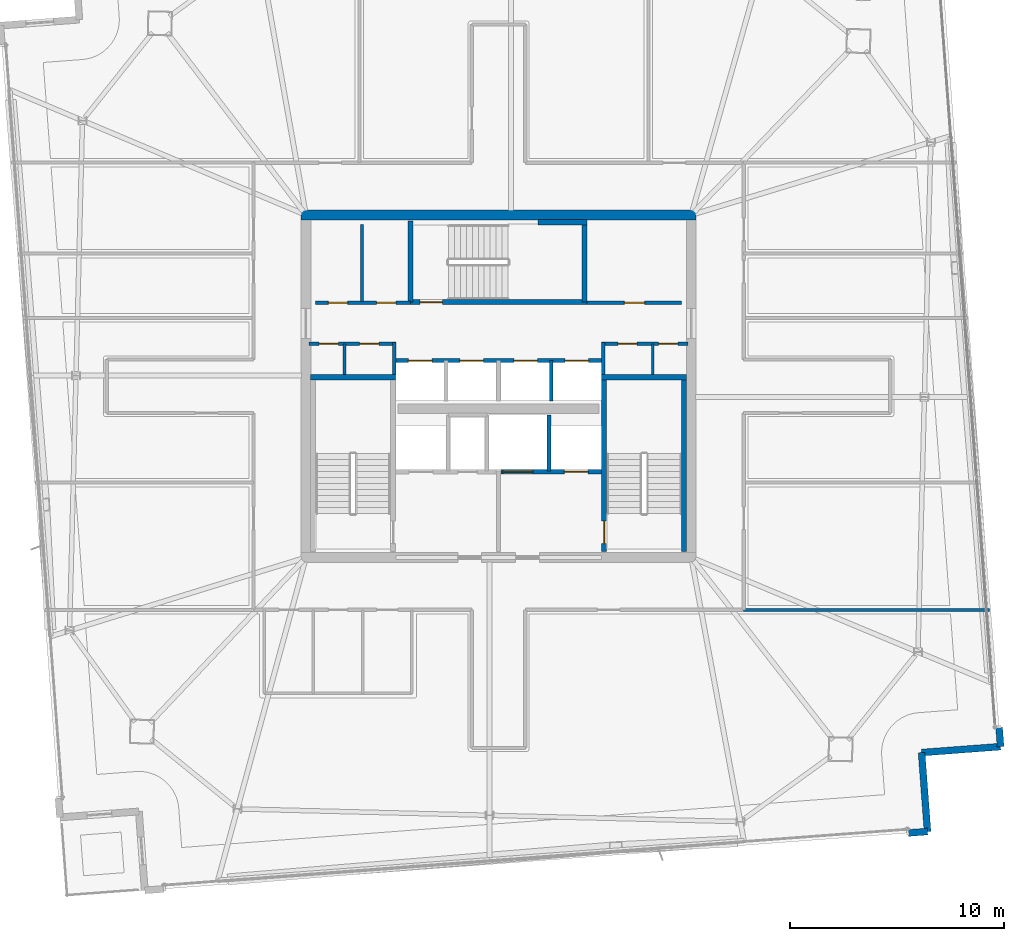
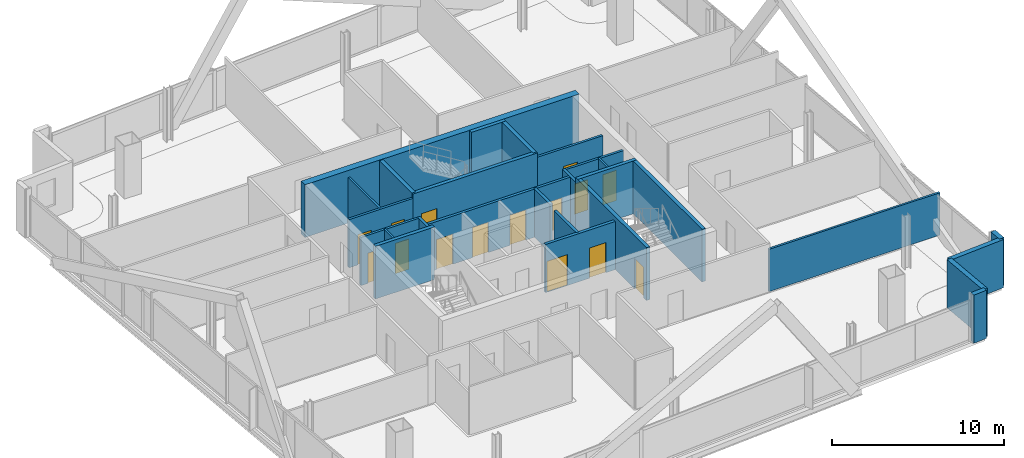
# One storey, part 18 of 23: 27 walls, 15 doors, 15 openings.
"""IFC4 building model written with IfcOpenShell, lengths in metres."""

from ifc_helpers import new_model, si_unit, direction, frame, frame_2d, origin, place, context, subcontext, project, spatial, rectangle, extrude, material, layer, layer_set, type_object, element, fill, save


model = new_model("IFC4")

# Units and contexts
model_context = context("Model", 3, precision=1e-05, world=origin(), true_north=direction((0.0, 1.0)))
body_context = subcontext(model_context, "Body", "Model", "MODEL_VIEW")
ifc_project = project(units=[si_unit("LENGTHUNIT", "METRE"), si_unit("AREAUNIT", "SQUARE_METRE"), si_unit("VOLUMEUNIT", "CUBIC_METRE"), si_unit("PLANEANGLEUNIT", "RADIAN"), si_unit("MASSUNIT", "GRAM", prefix="KILO")], contexts=[model_context])

# Site, building, storey
site_placement = place(None, origin())
site = spatial("IfcSite", under=ifc_project, at=site_placement, CompositionType="ELEMENT")
building_placement = place(site_placement, origin())
building = spatial("IfcBuilding", under=site, at=building_placement, Name="Haldenkirk Collegiate Tower", CompositionType="ELEMENT")
storey_placement = place(building_placement, frame((0.0, 0.0, 343.949951171875)))
storey = spatial("IfcBuildingStorey", under=building, at=storey_placement, Name="L87", CompositionType="ELEMENT", Elevation=343.949951171875)

# Walls
ifc_material_1 = material(Name="Concrete f'c 55 MPa", Category="concrete")
ifc_layer_1 = layer(ifc_material_1, 0.449951171875)
ifc_layer_set_1 = layer_set([ifc_layer_1], Name="Concrete f'c 55 MPa")
wall_type_1 = type_object("IfcWallType", Name="WL-CORE-450", PredefinedType="SHEAR", material=ifc_layer_set_1)
wall_1_placement = place(storey_placement, frame((26.77490234375, 34.0, 0.0), z_axis=(0.0, 0.0, 1.0), x_axis=(1.0, 0.0, 0.0)))
element("IfcWall", 1, at=wall_1_placement, inside=storey, type_object=wall_type_1, Name="L87 central core shear wall N", PredefinedType="SHEAR", context=body_context, shape_type="SweptSolid", body=[
    extrude(rectangle(XDim=18.4501953125, YDim=0.449951171875, at=frame_2d((9.22509765625, 0.0))), origin(), (0.0, 0.0, 1.0), 3.75),
])
ifc_material_2 = material(Name="Precast concrete f'c 40 MPa", Category="concrete")
ifc_layer_2 = layer(ifc_material_2, 0.320068359375)
ifc_layer_set_2 = layer_set([ifc_layer_2], Name="Precast concrete f'c 40 MPa")
wall_type_2 = type_object("IfcWallType", Name="WL-EXT-TWR-320", PredefinedType="STANDARD", material=ifc_layer_set_2)
wall_2_placement = place(storey_placement, frame((59.385986328125, 10.05859375, 0.0), z_axis=(0.0, 0.0, 1.0), x_axis=(0.075140616575, -0.997172947758, 0.0)))
element("IfcWall", 2, at=wall_2_placement, inside=storey, type_object=wall_type_2, Name="L87 precast corner pier SR", PredefinedType="STANDARD", context=body_context, shape_type="SweptSolid", body=[
    extrude(rectangle(XDim=0.89990234375, YDim=0.320068359375, at=frame_2d((0.449951171875, 0.0))), origin(), (0.0, 0.0, 1.0), 3.429931640625),
])
wall_3_placement = place(storey_placement, frame((56.04150390625, 5.194091796875, 0.0), z_axis=(0.0, 0.0, 1.0), x_axis=(-0.997194757176, -0.074850626321, 0.0)))
element("IfcWall", 3, at=wall_3_placement, inside=storey, type_object=wall_type_2, Name="L87 precast corner pier WL", PredefinedType="STANDARD", context=body_context, shape_type="SweptSolid", body=[
    extrude(rectangle(XDim=0.900146484375, YDim=0.320068359375, at=frame_2d((0.4501953125, 0.0))), origin(), (0.0, 0.0, 1.0), 3.429931640625),
])
for number, where, z_axis, x_axis, name in (
    (4, (55.763916015625, 8.8837890625, 0.0), (0.0, 0.0, 1.0), (0.075021230864, -0.997181936719, 0.0), "L87 bronze precast notch wall 11"),
    (5, (59.45361328125, 9.1611328125, 0.0), (0.0, 0.0, 1.0), (-0.997186870667, -0.074955620001, 0.0), "L87 bronze precast notch wall 12"),
):
    element("IfcWall", number, at=place(storey_placement, frame(where, z_axis=z_axis, x_axis=x_axis)), inside=storey, type_object=wall_type_2, Name=name, PredefinedType="STANDARD", context=body_context, shape_type="SweptSolid", body=[
        extrude(rectangle(XDim=3.7001953125, YDim=0.320068359375, at=frame_2d((1.85009765625, 0.0))), origin(), (0.0, 0.0, 1.0), 3.429931640625),
    ])

# Wall, openings, doors
ifc_material_3 = material(Name="Acoustic fire-rated gypsum partition", Category="concrete")
ifc_layer_3 = layer(ifc_material_3, 0.159912109375)
ifc_layer_set_3 = layer_set([ifc_layer_3], Name="Acoustic fire-rated gypsum partition")
wall_type_3 = type_object("IfcWallType", Name="WL-INT-CORR-160", PredefinedType="PARTITIONING", material=ifc_layer_set_3)
wall_4_placement = place(storey_placement, frame((27.14990234375, 27.97998046875, 0.0), z_axis=(0.0, 0.0, 1.0), x_axis=(1.0, 0.0, 0.0)))
wall_4 = element("IfcWall", 6, at=wall_4_placement, inside=storey, type_object=wall_type_3, Name="L87 interior partition IW-L87-VCSW-N", PredefinedType="PARTITIONING", context=body_context, shape_type="SweptSolid", body=[
    extrude(rectangle(XDim=4.050048828125, YDim=0.159912109375, at=frame_2d((2.02490234375, 0.0))), origin(), (0.0, 0.0, 1.0), 3.429931640625),
])
opening_1_placement = place(wall_4_placement, frame((0.469970703125, 0.0, 0.0)))
opening_1 = element("IfcOpeningElement", 7, at=opening_1_placement, cuts=wall_4, Name="Opening D-11", PredefinedType="OPENING", context=body_context, shape_type="SweptSolid", body=[
    extrude(rectangle(XDim=0.89990234375, YDim=2.14990234375, at=frame_2d((0.449951171875, 1.074951171875))), frame((0.0, 0.08984375, 0.0), z_axis=(0.0, -1.0, 0.0), x_axis=(1.0, 0.0, 0.0)), (0.0, 0.0, 1.0), 0.179931640625),
])
opening_2_placement = place(wall_4_placement, frame((2.360107421875, 0.0, 0.0)))
opening_2 = element("IfcOpeningElement", 8, at=opening_2_placement, cuts=wall_4, Name="Opening D-11", PredefinedType="OPENING", context=body_context, shape_type="SweptSolid", body=[
    extrude(rectangle(XDim=0.89990234375, YDim=2.14990234375, at=frame_2d((0.449951171875, 1.074951171875))), frame((0.0, 0.08984375, 0.0), z_axis=(0.0, -1.0, 0.0), x_axis=(1.0, 0.0, 0.0)), (0.0, 0.0, 1.0), 0.179931640625),
])
ifc_material_4 = material(Name="Solid-core architectural oak fire door", Category="wood")
ifc_layer_4 = layer(ifc_material_4, 0.06005859375)
ifc_layer_set_4 = layer_set([ifc_layer_4], Name="Solid-core architectural oak fire door")
door_type_1 = type_object("IfcDoorType", Name="DR-INT-FD60-900", OperationType="NOTDEFINED", PredefinedType="DOOR", material=ifc_layer_set_4)
door_1_placement = place(opening_1_placement, origin())
door_1 = element("IfcDoor", 9, at=door_1_placement, inside=storey, type_object=door_type_1, Name="L87 core AV closet door", OperationType="SINGLE_SWING_LEFT", OverallHeight=2.14990234375, OverallWidth=0.89990234375, PredefinedType="DOOR", context=body_context, shape_type="SweptSolid", body=[
    extrude(rectangle(XDim=0.89990234375, YDim=2.14990234375, at=frame_2d((0.449951171875, 1.074951171875))), frame((0.0, 0.02490234375, 0.0), z_axis=(0.0, -1.0, 0.0), x_axis=(1.0, 0.0, 0.0)), (0.0, 0.0, 1.0), 0.050048828125),
])
fill(opening_1, door_1)
door_2_placement = place(opening_2_placement, origin())
door_2 = element("IfcDoor", 10, at=door_2_placement, inside=storey, type_object=door_type_1, Name="L87 core supply closet door", OperationType="SINGLE_SWING_RIGHT", OverallHeight=2.14990234375, OverallWidth=0.89990234375, PredefinedType="DOOR", context=body_context, shape_type="SweptSolid", body=[
    extrude(rectangle(XDim=0.89990234375, YDim=2.14990234375, at=frame_2d((0.449951171875, 1.074951171875))), frame((0.0, 0.02490234375, 0.0), z_axis=(0.0, -1.0, 0.0), x_axis=(1.0, 0.0, 0.0)), (0.0, 0.0, 1.0), 0.050048828125),
])
fill(opening_2, door_2)

# Wall
wall_5_placement = place(storey_placement, frame((31.1201171875, 26.5400390625, 0.0), z_axis=(0.0, 0.0, 1.0), x_axis=(0.0, 1.0, 0.0)))
element("IfcWall", 11, at=wall_5_placement, inside=storey, type_object=wall_type_3, Name="L87 interior partition IW-L87-VCSW-E", PredefinedType="PARTITIONING", context=body_context, shape_type="SweptSolid", body=[
    extrude(rectangle(XDim=1.510009765625, YDim=0.159912109375, at=frame_2d((0.7548828125, 0.0))), origin(), (0.0, 0.0, 1.0), 3.429931640625),
])

# Wall, openings, doors
wall_6_placement = place(storey_placement, frame((40.800048828125, 27.97998046875, 0.0), z_axis=(0.0, 0.0, 1.0), x_axis=(1.0, 0.0, 0.0)))
wall_6 = element("IfcWall", 12, at=wall_6_placement, inside=storey, type_object=wall_type_3, Name="L87 interior partition IW-L87-VCSE-N", PredefinedType="PARTITIONING", context=body_context, shape_type="SweptSolid", body=[
    extrude(rectangle(XDim=4.050048828125, YDim=0.159912109375, at=frame_2d((2.02490234375, 0.0))), origin(), (0.0, 0.0, 1.0), 3.429931640625),
])
opening_3_placement = place(wall_6_placement, frame((0.77001953125, 0.0, 0.0)))
opening_3 = element("IfcOpeningElement", 13, at=opening_3_placement, cuts=wall_6, Name="Opening D-11", PredefinedType="OPENING", context=body_context, shape_type="SweptSolid", body=[
    extrude(rectangle(XDim=0.89990234375, YDim=2.14990234375, at=frame_2d((0.449951171875, 1.074951171875))), frame((0.0, 0.08984375, 0.0), z_axis=(0.0, -1.0, 0.0), x_axis=(1.0, 0.0, 0.0)), (0.0, 0.0, 1.0), 0.179931640625),
])
opening_4_placement = place(wall_6_placement, frame((2.679931640625, 0.0, 0.0)))
opening_4 = element("IfcOpeningElement", 14, at=opening_4_placement, cuts=wall_6, Name="Opening D-11", PredefinedType="OPENING", context=body_context, shape_type="SweptSolid", body=[
    extrude(rectangle(XDim=0.89990234375, YDim=2.14990234375, at=frame_2d((0.449951171875, 1.074951171875))), frame((0.0, 0.08984375, 0.0), z_axis=(0.0, -1.0, 0.0), x_axis=(1.0, 0.0, 0.0)), (0.0, 0.0, 1.0), 0.179931640625),
])
door_3_placement = place(opening_3_placement, origin())
door_3 = element("IfcDoor", 15, at=door_3_placement, inside=storey, type_object=door_type_1, Name="L87 core archive door", OperationType="SINGLE_SWING_LEFT", OverallHeight=2.14990234375, OverallWidth=0.89990234375, PredefinedType="DOOR", context=body_context, shape_type="SweptSolid", body=[
    extrude(rectangle(XDim=0.89990234375, YDim=2.14990234375, at=frame_2d((0.449951171875, 1.074951171875))), frame((0.0, 0.02490234375, 0.0), z_axis=(0.0, -1.0, 0.0), x_axis=(1.0, 0.0, 0.0)), (0.0, 0.0, 1.0), 0.050048828125),
])
fill(opening_3, door_3)
door_4_placement = place(opening_4_placement, origin())
door_4 = element("IfcDoor", 16, at=door_4_placement, inside=storey, type_object=door_type_1, Name="L87 core telecom door", OperationType="SINGLE_SWING_RIGHT", OverallHeight=2.14990234375, OverallWidth=0.89990234375, PredefinedType="DOOR", context=body_context, shape_type="SweptSolid", body=[
    extrude(rectangle(XDim=0.89990234375, YDim=2.14990234375, at=frame_2d((0.449951171875, 1.074951171875))), frame((0.0, 0.02490234375, 0.0), z_axis=(0.0, -1.0, 0.0), x_axis=(1.0, 0.0, 0.0)), (0.0, 0.0, 1.0), 0.050048828125),
])
fill(opening_4, door_4)

# Wall
wall_7_placement = place(storey_placement, frame((40.8798828125, 26.5400390625, 0.0), z_axis=(0.0, 0.0, 1.0), x_axis=(0.0, 1.0, 0.0)))
element("IfcWall", 17, at=wall_7_placement, inside=storey, type_object=wall_type_3, Name="L87 interior partition IW-L87-VCSE-W", PredefinedType="PARTITIONING", context=body_context, shape_type="SweptSolid", body=[
    extrude(rectangle(XDim=1.510009765625, YDim=0.159912109375, at=frame_2d((0.7548828125, 0.0))), origin(), (0.0, 0.0, 1.0), 3.429931640625),
])

# Wall, openings, doors
wall_8_placement = place(storey_placement, frame((27.449951171875, 29.89990234375, 0.0), z_axis=(0.0, 0.0, 1.0), x_axis=(1.0, 0.0, 0.0)))
wall_8 = element("IfcWall", 18, at=wall_8_placement, inside=storey, type_object=wall_type_3, Name="L87 interior partition IW-L87-PLS", PredefinedType="PARTITIONING", context=body_context, shape_type="SweptSolid", body=[
    extrude(rectangle(XDim=4.429931640625, YDim=0.159912109375, at=frame_2d((2.21484375, 0.0))), origin(), (0.0, 0.0, 1.0), 3.429931640625),
])
opening_5_placement = place(wall_8_placement, frame((0.60009765625, 0.0, 0.0)))
opening_5 = element("IfcOpeningElement", 19, at=opening_5_placement, cuts=wall_8, Name="Opening D-11", PredefinedType="OPENING", context=body_context, shape_type="SweptSolid", body=[
    extrude(rectangle(XDim=0.89990234375, YDim=2.14990234375, at=frame_2d((0.449951171875, 1.074951171875))), frame((0.0, 0.08984375, 0.0), z_axis=(0.0, -1.0, 0.0), x_axis=(1.0, 0.0, 0.0)), (0.0, 0.0, 1.0), 0.179931640625),
])
opening_6_placement = place(wall_8_placement, frame((2.85009765625, 0.0, 0.0)))
opening_6 = element("IfcOpeningElement", 20, at=opening_6_placement, cuts=wall_8, Name="Opening D-11", PredefinedType="OPENING", context=body_context, shape_type="SweptSolid", body=[
    extrude(rectangle(XDim=0.89990234375, YDim=2.14990234375, at=frame_2d((0.449951171875, 1.074951171875))), frame((0.0, 0.08984375, 0.0), z_axis=(0.0, -1.0, 0.0), x_axis=(1.0, 0.0, 0.0)), (0.0, 0.0, 1.0), 0.179931640625),
])
door_5_placement = place(opening_5_placement, origin())
door_5 = element("IfcDoor", 21, at=door_5_placement, inside=storey, type_object=door_type_1, Name="L87 tea kitchen door", OperationType="SINGLE_SWING_LEFT", OverallHeight=2.14990234375, OverallWidth=0.89990234375, PredefinedType="DOOR", context=body_context, shape_type="SweptSolid", body=[
    extrude(rectangle(XDim=0.89990234375, YDim=2.14990234375, at=frame_2d((0.449951171875, 1.074951171875))), frame((0.0, 0.02490234375, 0.0), z_axis=(0.0, -1.0, 0.0), x_axis=(1.0, 0.0, 0.0)), (0.0, 0.0, 1.0), 0.050048828125),
])
fill(opening_5, door_5)
door_6_placement = place(opening_6_placement, origin())
door_6 = element("IfcDoor", 22, at=door_6_placement, inside=storey, type_object=door_type_1, Name="L87 IT room door", OperationType="SINGLE_SWING_RIGHT", OverallHeight=2.14990234375, OverallWidth=0.89990234375, PredefinedType="DOOR", context=body_context, shape_type="SweptSolid", body=[
    extrude(rectangle(XDim=0.89990234375, YDim=2.14990234375, at=frame_2d((0.449951171875, 1.074951171875))), frame((0.0, 0.02490234375, 0.0), z_axis=(0.0, -1.0, 0.0), x_axis=(1.0, 0.0, 0.0)), (0.0, 0.0, 1.0), 0.050048828125),
])
fill(opening_6, door_6)

# Wall, opening, door
wall_9_placement = place(storey_placement, frame((40.1201171875, 29.89990234375, 0.0), z_axis=(0.0, 0.0, 1.0), x_axis=(1.0, 0.0, 0.0)))
wall_9 = element("IfcWall", 23, at=wall_9_placement, inside=storey, type_object=wall_type_3, Name="L87 interior partition IW-L87-PMS", PredefinedType="PARTITIONING", context=body_context, shape_type="SweptSolid", body=[
    extrude(rectangle(XDim=4.429931640625, YDim=0.159912109375, at=frame_2d((2.21484375, 0.0))), origin(), (0.0, 0.0, 1.0), 3.429931640625),
])
opening_7_placement = place(wall_9_placement, frame((1.7548828125, 0.0, 0.0)))
opening_7 = element("IfcOpeningElement", 24, at=opening_7_placement, cuts=wall_9, Name="Opening D-10", PredefinedType="OPENING", context=body_context, shape_type="SweptSolid", body=[
    extrude(rectangle(XDim=0.949951171875, YDim=2.14990234375, at=frame_2d((0.47509765625, 1.074951171875))), frame((0.0, 0.08984375, 0.0), z_axis=(0.0, -1.0, 0.0), x_axis=(1.0, 0.0, 0.0)), (0.0, 0.0, 1.0), 0.179931640625),
])
ifc_layer_5 = layer(ifc_material_4, 0.06005859375)
ifc_layer_set_5 = layer_set([ifc_layer_5], Name="Solid-core architectural oak fire door")
door_type_2 = type_object("IfcDoorType", Name="DR-INT-FD60-950", OperationType="NOTDEFINED", PredefinedType="DOOR", material=ifc_layer_set_5)
door_7_placement = place(opening_7_placement, origin())
door_7 = element("IfcDoor", 25, at=door_7_placement, inside=storey, type_object=door_type_2, Name="L87 reference archive door", OperationType="SINGLE_SWING_LEFT", OverallHeight=2.14990234375, OverallWidth=0.949951171875, PredefinedType="DOOR", context=body_context, shape_type="SweptSolid", body=[
    extrude(rectangle(XDim=0.949951171875, YDim=2.14990234375, at=frame_2d((0.47509765625, 1.074951171875))), frame((0.0, 0.02490234375, 0.0), z_axis=(0.0, -1.0, 0.0), x_axis=(1.0, 0.0, 0.0)), (0.0, 0.0, 1.0), 0.050048828125),
])
fill(opening_7, door_7)

# Walls
ifc_layer_6 = layer(ifc_material_3, 0.139892578125)
ifc_layer_set_6 = layer_set([ifc_layer_6], Name="Acoustic fire-rated gypsum partition")
wall_type_4 = type_object("IfcWallType", Name="WL-INT-DIV-140", PredefinedType="PARTITIONING", material=ifc_layer_set_6)
wall_10_placement = place(storey_placement, frame((29.6201171875, 29.949951171875, 0.0), z_axis=(0.0, 0.0, 1.0), x_axis=(0.0, 1.0, 0.0)))
element("IfcWall", 26, at=wall_10_placement, inside=storey, type_object=wall_type_4, Name="L87 interior partition IW-L87-PLDIV", PredefinedType="PARTITIONING", context=body_context, shape_type="SweptSolid", body=[
    extrude(rectangle(XDim=3.60009765625, YDim=0.139892578125, at=frame_2d((1.800048828125, 0.0))), origin(), (0.0, 0.0, 1.0), 3.429931640625),
])
wall_11_placement = place(storey_placement, frame((47.449951171875, 15.550048828125, 0.0), z_axis=(0.0, 0.0, 1.0), x_axis=(1.0, 0.0, 0.0)))
element("IfcWall", 27, at=wall_11_placement, inside=storey, type_object=wall_type_4, Name="L87 interior partition IW-L87-BES", PredefinedType="PARTITIONING", context=body_context, shape_type="SweptSolid", body=[
    extrude(rectangle(XDim=11.483154296875, YDim=0.139892578125, at=frame_2d((5.74169921875, 0.0))), origin(), (0.0, 0.0, 1.0), 3.01904296875),
])
ifc_material_5 = material(Name="Fire-rated gypsum shaftboard assembly", Category="concrete")
ifc_layer_7 = layer(ifc_material_5, 0.179931640625)
ifc_layer_set_7 = layer_set([ifc_layer_7], Name="Fire-rated gypsum shaftboard assembly")
wall_type_5 = type_object("IfcWallType", Name="WL-INT-SHAFT-180", PredefinedType="PARTITIONING", material=ifc_layer_set_7)
wall_12_placement = place(storey_placement, frame((38.35009765625, 22.050048828125, 0.0), z_axis=(0.0, 0.0, 1.0), x_axis=(0.0, 1.0, 0.0)))
element("IfcWall", 28, at=wall_12_placement, inside=storey, type_object=wall_type_5, Name="L87 interior partition IW-L87-GL1E", PredefinedType="PARTITIONING", context=body_context, shape_type="SweptSolid", body=[
    extrude(rectangle(XDim=2.599853515625, YDim=0.179931640625, at=frame_2d((1.2998046875, 0.0))), origin(), (0.0, 0.0, 1.0), 3.429931640625),
])

# Wall, openings, doors
wall_13_placement = place(storey_placement, frame((31.199951171875, 27.199951171875, 0.0), z_axis=(0.0, 0.0, 1.0), x_axis=(1.0, 0.0, 0.0)))
wall_13 = element("IfcWall", 29, at=wall_13_placement, inside=storey, type_object=wall_type_5, Name="L87 interior partition IW-L87-PHN", PredefinedType="PARTITIONING", context=body_context, shape_type="SweptSolid", body=[
    extrude(rectangle(XDim=9.60009765625, YDim=0.179931640625, at=frame_2d((4.800048828125, 0.0))), origin(), (0.0, 0.0, 1.0), 3.429931640625),
])
opening_8_placement = place(wall_13_placement, frame((0.590087890625, 0.0, 0.0)))
opening_8 = element("IfcOpeningElement", 30, at=opening_8_placement, cuts=wall_13, Name="Opening LD-11", PredefinedType="OPENING", context=body_context, shape_type="SweptSolid", body=[
    extrude(rectangle(XDim=1.10009765625, YDim=2.14990234375, at=frame_2d((0.550048828125, 1.074951171875))), frame((0.0, 0.099853515625, 0.0), z_axis=(0.0, -1.0, 0.0), x_axis=(1.0, 0.0, 0.0)), (0.0, 0.0, 1.0), 0.199951171875),
])
opening_9_placement = place(wall_13_placement, frame((2.989990234375, 0.0, 0.0)))
opening_9 = element("IfcOpeningElement", 31, at=opening_9_placement, cuts=wall_13, Name="Opening LD-11", PredefinedType="OPENING", context=body_context, shape_type="SweptSolid", body=[
    extrude(rectangle(XDim=1.10009765625, YDim=2.14990234375, at=frame_2d((0.550048828125, 1.074951171875))), frame((0.0, 0.099853515625, 0.0), z_axis=(0.0, -1.0, 0.0), x_axis=(1.0, 0.0, 0.0)), (0.0, 0.0, 1.0), 0.199951171875),
])
opening_10_placement = place(wall_13_placement, frame((5.510009765625, 0.0, 0.0)))
opening_10 = element("IfcOpeningElement", 32, at=opening_10_placement, cuts=wall_13, Name="Opening LD-11", PredefinedType="OPENING", context=body_context, shape_type="SweptSolid", body=[
    extrude(rectangle(XDim=1.10009765625, YDim=2.14990234375, at=frame_2d((0.550048828125, 1.074951171875))), frame((0.0, 0.099853515625, 0.0), z_axis=(0.0, -1.0, 0.0), x_axis=(1.0, 0.0, 0.0)), (0.0, 0.0, 1.0), 0.199951171875),
])
opening_11_placement = place(wall_13_placement, frame((7.909912109375, 0.0, 0.0)))
opening_11 = element("IfcOpeningElement", 33, at=opening_11_placement, cuts=wall_13, Name="Opening LD-11", PredefinedType="OPENING", context=body_context, shape_type="SweptSolid", body=[
    extrude(rectangle(XDim=1.10009765625, YDim=2.14990234375, at=frame_2d((0.550048828125, 1.074951171875))), frame((0.0, 0.099853515625, 0.0), z_axis=(0.0, -1.0, 0.0), x_axis=(1.0, 0.0, 0.0)), (0.0, 0.0, 1.0), 0.199951171875),
])
ifc_material_6 = material(Name="Brushed architectural stainless steel", Category="steel")
ifc_layer_8 = layer(ifc_material_6, 0.06005859375)
ifc_layer_set_8 = layer_set([ifc_layer_8], Name="Brushed architectural stainless steel")
door_type_3 = type_object("IfcDoorType", Name="LD-PASS-1100", OperationType="NOTDEFINED", PredefinedType="DOOR", material=ifc_layer_set_8)
door_8_placement = place(opening_8_placement, origin())
door_8 = element("IfcDoor", 34, at=door_8_placement, inside=storey, type_object=door_type_3, Name="L87 Elevator PH1 sliding landing door", OperationType="SLIDING_TO_LEFT", OverallHeight=2.14990234375, OverallWidth=1.10009765625, PredefinedType="DOOR", context=body_context, shape_type="SweptSolid", body=[
    extrude(rectangle(XDim=1.10009765625, YDim=2.14990234375, at=frame_2d((0.550048828125, 1.074951171875))), frame((0.0, 0.02490234375, 0.0), z_axis=(0.0, -1.0, 0.0), x_axis=(1.0, 0.0, 0.0)), (0.0, 0.0, 1.0), 0.050048828125),
])
fill(opening_8, door_8)
door_9_placement = place(opening_9_placement, origin())
door_9 = element("IfcDoor", 35, at=door_9_placement, inside=storey, type_object=door_type_3, Name="L87 Elevator PH2 sliding landing door", OperationType="SLIDING_TO_LEFT", OverallHeight=2.14990234375, OverallWidth=1.10009765625, PredefinedType="DOOR", context=body_context, shape_type="SweptSolid", body=[
    extrude(rectangle(XDim=1.10009765625, YDim=2.14990234375, at=frame_2d((0.550048828125, 1.074951171875))), frame((0.0, 0.02490234375, 0.0), z_axis=(0.0, -1.0, 0.0), x_axis=(1.0, 0.0, 0.0)), (0.0, 0.0, 1.0), 0.050048828125),
])
fill(opening_9, door_9)
door_10_placement = place(opening_10_placement, origin())
door_10 = element("IfcDoor", 36, at=door_10_placement, inside=storey, type_object=door_type_3, Name="L87 Elevator PH3 sliding landing door", OperationType="SLIDING_TO_LEFT", OverallHeight=2.14990234375, OverallWidth=1.10009765625, PredefinedType="DOOR", context=body_context, shape_type="SweptSolid", body=[
    extrude(rectangle(XDim=1.10009765625, YDim=2.14990234375, at=frame_2d((0.550048828125, 1.074951171875))), frame((0.0, 0.02490234375, 0.0), z_axis=(0.0, -1.0, 0.0), x_axis=(1.0, 0.0, 0.0)), (0.0, 0.0, 1.0), 0.050048828125),
])
fill(opening_10, door_10)
door_11_placement = place(opening_11_placement, origin())
door_11 = element("IfcDoor", 37, at=door_11_placement, inside=storey, type_object=door_type_3, Name="L87 Elevator PH4 sliding landing door", OperationType="SLIDING_TO_LEFT", OverallHeight=2.14990234375, OverallWidth=1.10009765625, PredefinedType="DOOR", context=body_context, shape_type="SweptSolid", body=[
    extrude(rectangle(XDim=1.10009765625, YDim=2.14990234375, at=frame_2d((0.550048828125, 1.074951171875))), frame((0.0, 0.02490234375, 0.0), z_axis=(0.0, -1.0, 0.0), x_axis=(1.0, 0.0, 0.0)), (0.0, 0.0, 1.0), 0.050048828125),
])
fill(opening_11, door_11)

# Wall
wall_14_placement = place(storey_placement, frame((38.4599609375, 25.300048828125, 0.0), z_axis=(0.0, 0.0, 1.0), x_axis=(0.0, 1.0, 0.0)))
element("IfcWall", 38, at=wall_14_placement, inside=storey, type_object=wall_type_5, Name="L87 interior partition IW-L87-PHV3", PredefinedType="PARTITIONING", context=body_context, shape_type="SweptSolid", body=[
    extrude(rectangle(XDim=1.89990234375, YDim=0.179931640625, at=frame_2d((0.949951171875, 0.0))), origin(), (0.0, 0.0, 1.0), 3.429931640625),
])

# Wall, openings, doors
ifc_layer_9 = layer(ifc_material_5, 0.199951171875)
ifc_layer_set_9 = layer_set([ifc_layer_9], Name="Fire-rated gypsum shaftboard assembly")
wall_type_6 = type_object("IfcWallType", Name="WL-INT-SHAFT-200", PredefinedType="PARTITIONING", material=ifc_layer_set_9)
wall_15_placement = place(storey_placement, frame((36.1201171875, 22.0, 0.0), z_axis=(0.0, 0.0, 1.0), x_axis=(1.0, 0.0, 0.0)))
wall_15 = element("IfcWall", 39, at=wall_15_placement, inside=storey, type_object=wall_type_6, Name="L87 interior partition IW-L87-FFL2N", PredefinedType="PARTITIONING", context=body_context, shape_type="SweptSolid", body=[
    extrude(rectangle(XDim=4.68994140625, YDim=0.199951171875, at=frame_2d((2.344970703125, 0.0))), origin(), (0.0, 0.0, 1.0), 3.429931640625),
])
opening_12_placement = place(wall_15_placement, frame((2.955078125, 0.0, 0.0)))
opening_12 = element("IfcOpeningElement", 40, at=opening_12_placement, cuts=wall_15, Name="Opening LD-12", PredefinedType="OPENING", context=body_context, shape_type="SweptSolid", body=[
    extrude(rectangle(XDim=1.10009765625, YDim=2.14990234375, at=frame_2d((0.550048828125, 1.074951171875))), frame((0.0, 0.10986328125, 0.0), z_axis=(0.0, -1.0, 0.0), x_axis=(1.0, 0.0, 0.0)), (0.0, 0.0, 1.0), 0.219970703125),
])
opening_13_placement = place(wall_15_placement, frame((0.080078125, 0.0, 0.0)))
opening_13 = element("IfcOpeningElement", 41, at=opening_13_placement, cuts=wall_15, Name="Opening LD-13", PredefinedType="OPENING", context=body_context, shape_type="SweptSolid", body=[
    extrude(rectangle(XDim=1.39990234375, YDim=2.199951171875, at=frame_2d((0.699951171875, 1.10009765625))), frame((0.0, 0.10986328125, 0.0), z_axis=(0.0, -1.0, 0.0), x_axis=(1.0, 0.0, 0.0)), (0.0, 0.0, 1.0), 0.219970703125),
])
ifc_layer_10 = layer(ifc_material_6, 0.06005859375)
ifc_layer_set_10 = layer_set([ifc_layer_10], Name="Brushed architectural stainless steel")
door_type_4 = type_object("IfcDoorType", Name="LD-FIRE-1100", OperationType="NOTDEFINED", PredefinedType="DOOR", material=ifc_layer_set_10)
door_12_placement = place(opening_12_placement, origin())
door_12 = element("IfcDoor", 42, at=door_12_placement, inside=storey, type_object=door_type_4, Name="L87 Elevator FL2 sliding landing door", OperationType="SLIDING_TO_LEFT", OverallHeight=2.14990234375, OverallWidth=1.10009765625, PredefinedType="DOOR", context=body_context, shape_type="SweptSolid", body=[
    extrude(rectangle(XDim=1.10009765625, YDim=2.14990234375, at=frame_2d((0.550048828125, 1.074951171875))), frame((0.0, 0.02490234375, 0.0), z_axis=(0.0, -1.0, 0.0), x_axis=(1.0, 0.0, 0.0)), (0.0, 0.0, 1.0), 0.050048828125),
])
fill(opening_12, door_12)
ifc_layer_11 = layer(ifc_material_6, 0.06005859375)
ifc_layer_set_11 = layer_set([ifc_layer_11], Name="Brushed architectural stainless steel")
door_type_5 = type_object("IfcDoorType", Name="LD-GOODS-1400", OperationType="NOTDEFINED", PredefinedType="DOOR", material=ifc_layer_set_11)
door_13_placement = place(opening_13_placement, origin())
door_13 = element("IfcDoor", 43, at=door_13_placement, inside=storey, type_object=door_type_5, Name="L87 Elevator GL1 sliding landing door", OperationType="SLIDING_TO_LEFT", OverallHeight=2.199951171875, OverallWidth=1.39990234375, PredefinedType="DOOR", context=body_context, shape_type="SweptSolid", body=[
    extrude(rectangle(XDim=1.39990234375, YDim=2.199951171875, at=frame_2d((0.699951171875, 1.10009765625))), frame((0.0, 0.02490234375, 0.0), z_axis=(0.0, -1.0, 0.0), x_axis=(1.0, 0.0, 0.0)), (0.0, 0.0, 1.0), 0.050048828125),
])
fill(opening_13, door_13)

# Walls
ifc_layer_12 = layer(ifc_material_3, 0.1201171875)
ifc_layer_set_12 = layer_set([ifc_layer_12], Name="Acoustic fire-rated gypsum partition")
wall_type_7 = type_object("IfcWallType", Name="WL-INT-WET-120", PredefinedType="PARTITIONING", material=ifc_layer_set_12)
for number, where, z_axis, x_axis, name in (
    (44, (28.800048828125, 26.5400390625, 0.0), (0.0, 0.0, 1.0), (0.0, 1.0, 0.0), "L87 interior partition IW-L87-VCSW-M"),
    (45, (43.199951171875, 26.5400390625, 0.0), (0.0, 0.0, 1.0), (0.0, 1.0, 0.0), "L87 interior partition IW-L87-VCSE-M"),
):
    element("IfcWall", number, at=place(storey_placement, frame(where, z_axis=z_axis, x_axis=x_axis)), inside=storey, type_object=wall_type_7, Name=name, PredefinedType="PARTITIONING", context=body_context, shape_type="SweptSolid", body=[
        extrude(rectangle(XDim=1.43994140625, YDim=0.1201171875, at=frame_2d((0.719970703125, 0.0))), origin(), (0.0, 0.0, 1.0), 3.429931640625),
    ])
ifc_layer_13 = layer(ifc_material_1, 0.239990234375)
ifc_layer_set_13 = layer_set([ifc_layer_13], Name="Concrete f'c 55 MPa")
wall_type_8 = type_object("IfcWallType", Name="WL-SHAFT-240", PredefinedType="SHEAR", material=ifc_layer_set_13)
wall_16_placement = place(storey_placement, frame((27.2099609375, 26.419921875, 0.0), z_axis=(0.0, 0.0, 1.0), x_axis=(1.0, 0.0, 0.0)))
element("IfcWall", 46, at=wall_16_placement, inside=storey, type_object=wall_type_8, Name="L87 stair shaft shear wall SW-L87-ST1N", PredefinedType="SHEAR", context=body_context, shape_type="SweptSolid", body=[
    extrude(rectangle(XDim=3.97998046875, YDim=0.239990234375, at=frame_2d((1.989990234375, 0.0))), origin(), (0.0, 0.0, 1.0), 3.75),
])

# Wall, opening, door
wall_17_placement = place(storey_placement, frame((40.929931640625, 18.280029296875, 0.0), z_axis=(0.0, 0.0, 1.0), x_axis=(0.0, 1.0, 0.0)))
wall_17 = element("IfcWall", 47, at=wall_17_placement, inside=storey, type_object=wall_type_8, Name="L87 stair shaft shear wall SW-L87-ST2W", PredefinedType="SHEAR", context=body_context, shape_type="SweptSolid", body=[
    extrude(rectangle(XDim=8.260009765625, YDim=0.239990234375, at=frame_2d((4.1298828125, 0.0))), origin(), (0.0, 0.0, 1.0), 3.75),
])
opening_14_placement = place(wall_17_placement, frame((0.364990234375, 0.0, 0.0)))
opening_14 = element("IfcOpeningElement", 48, at=opening_14_placement, cuts=wall_17, Name="Opening D-01", PredefinedType="OPENING", context=body_context, shape_type="SweptSolid", body=[
    extrude(rectangle(XDim=1.050048828125, YDim=2.14990234375, at=frame_2d((0.52490234375, 1.074951171875))), frame((0.0, 0.1298828125, 0.0), z_axis=(0.0, -1.0, 0.0), x_axis=(1.0, 0.0, 0.0)), (0.0, 0.0, 1.0), 0.260009765625),
])
ifc_material_7 = material(Name="Galvanized fire-rated hollow steel door", Category="steel")
ifc_layer_14 = layer(ifc_material_7, 0.06005859375)
ifc_layer_set_14 = layer_set([ifc_layer_14], Name="Galvanized fire-rated hollow steel door")
door_type_6 = type_object("IfcDoorType", Name="DR-STAIR-FD90-1050", OperationType="NOTDEFINED", PredefinedType="DOOR", material=ifc_layer_set_14)
door_14_placement = place(opening_14_placement, origin())
door_14 = element("IfcDoor", 49, at=door_14_placement, inside=storey, type_object=door_type_6, Name="L87 Stair 2 door", OperationType="SINGLE_SWING_RIGHT", OverallHeight=2.14990234375, OverallWidth=1.050048828125, PredefinedType="DOOR", context=body_context, shape_type="SweptSolid", body=[
    extrude(rectangle(XDim=1.050048828125, YDim=2.14990234375, at=frame_2d((0.52490234375, 1.074951171875))), frame((0.0, 0.02490234375, 0.0), z_axis=(0.0, -1.0, 0.0), x_axis=(1.0, 0.0, 0.0)), (0.0, 0.0, 1.0), 0.050048828125),
])
fill(opening_14, door_14)

# Walls
wall_18_placement = place(storey_placement, frame((40.81005859375, 26.419921875, 0.0), z_axis=(0.0, 0.0, 1.0), x_axis=(1.0, 0.0, 0.0)))
element("IfcWall", 50, at=wall_18_placement, inside=storey, type_object=wall_type_8, Name="L87 stair shaft shear wall SW-L87-ST2N", PredefinedType="SHEAR", context=body_context, shape_type="SweptSolid", body=[
    extrude(rectangle(XDim=3.97998046875, YDim=0.239990234375, at=frame_2d((1.989990234375, 0.0))), origin(), (0.0, 0.0, 1.0), 3.75),
])
wall_19_placement = place(storey_placement, frame((44.669921875, 18.280029296875, 0.0), z_axis=(0.0, 0.0, 1.0), x_axis=(0.0, 1.0, 0.0)))
element("IfcWall", 51, at=wall_19_placement, inside=storey, type_object=wall_type_8, Name="L87 stair shaft shear wall SW-L87-ST2E", PredefinedType="SHEAR", context=body_context, shape_type="SweptSolid", body=[
    extrude(rectangle(XDim=8.260009765625, YDim=0.239990234375, at=frame_2d((4.1298828125, 0.0))), origin(), (0.0, 0.0, 1.0), 3.75),
])

# Wall, opening, door
wall_20_placement = place(storey_placement, frame((31.760009765625, 29.929931640625, 0.0), z_axis=(0.0, 0.0, 1.0), x_axis=(1.0, 0.0, 0.0)))
wall_20 = element("IfcWall", 52, at=wall_20_placement, inside=storey, type_object=wall_type_8, Name="L87 stair shaft shear wall SW-L87-ST3S", PredefinedType="SHEAR", context=body_context, shape_type="SweptSolid", body=[
    extrude(rectangle(XDim=8.3798828125, YDim=0.239990234375, at=frame_2d((4.18994140625, 0.0))), origin(), (0.0, 0.0, 1.0), 3.75),
])
opening_15_placement = place(wall_20_placement, frame((0.56494140625, 0.0, 0.0)))
opening_15 = element("IfcOpeningElement", 53, at=opening_15_placement, cuts=wall_20, Name="Opening D-01", PredefinedType="OPENING", context=body_context, shape_type="SweptSolid", body=[
    extrude(rectangle(XDim=1.050048828125, YDim=2.14990234375, at=frame_2d((0.52490234375, 1.074951171875))), frame((0.0, 0.1298828125, 0.0), z_axis=(0.0, -1.0, 0.0), x_axis=(1.0, 0.0, 0.0)), (0.0, 0.0, 1.0), 0.260009765625),
])
door_15_placement = place(opening_15_placement, origin())
door_15 = element("IfcDoor", 54, at=door_15_placement, inside=storey, type_object=door_type_6, Name="L87 lift lobby Stair 3 door", OperationType="SINGLE_SWING_RIGHT", OverallHeight=2.14990234375, OverallWidth=1.050048828125, PredefinedType="DOOR", context=body_context, shape_type="SweptSolid", body=[
    extrude(rectangle(XDim=1.050048828125, YDim=2.14990234375, at=frame_2d((0.52490234375, 1.074951171875))), frame((0.0, 0.02490234375, 0.0), z_axis=(0.0, -1.0, 0.0), x_axis=(1.0, 0.0, 0.0)), (0.0, 0.0, 1.0), 0.050048828125),
])
fill(opening_15, door_15)

# Walls
wall_21_placement = place(storey_placement, frame((31.8798828125, 29.929931640625, 0.0), z_axis=(0.0, 0.0, 1.0), x_axis=(0.0, 1.0, 0.0)))
element("IfcWall", 55, at=wall_21_placement, inside=storey, type_object=wall_type_8, Name="L87 stair shaft shear wall SW-L87-ST3W", PredefinedType="SHEAR", context=body_context, shape_type="SweptSolid", body=[
    extrude(rectangle(XDim=3.7900390625, YDim=0.239990234375, at=frame_2d((1.89501953125, 0.0))), origin(), (0.0, 0.0, 1.0), 3.75),
])
wall_22_placement = place(storey_placement, frame((40.02001953125, 29.929931640625, 0.0), z_axis=(0.0, 0.0, 1.0), x_axis=(0.0, 1.0, 0.0)))
element("IfcWall", 56, at=wall_22_placement, inside=storey, type_object=wall_type_8, Name="L87 stair shaft shear wall SW-L87-ST3E", PredefinedType="SHEAR", context=body_context, shape_type="SweptSolid", body=[
    extrude(rectangle(XDim=3.85009765625, YDim=0.239990234375, at=frame_2d((1.925048828125, 0.0))), origin(), (0.0, 0.0, 1.0), 3.75),
])
wall_23_placement = place(storey_placement, frame((37.85009765625, 33.659912109375, 0.0), z_axis=(0.0, 0.0, 1.0), x_axis=(1.0, 0.0, 0.0)))
element("IfcWall", 57, at=wall_23_placement, inside=storey, type_object=wall_type_8, Name="L87 stair shaft shear wall SW-L87-ST3N", PredefinedType="SHEAR", context=body_context, shape_type="SweptSolid", body=[
    extrude(rectangle(XDim=2.289794921875, YDim=0.239990234375, at=frame_2d((1.14501953125, 0.0))), origin(), (0.0, 0.0, 1.0), 3.75),
])

save(model, "model.ifc")
